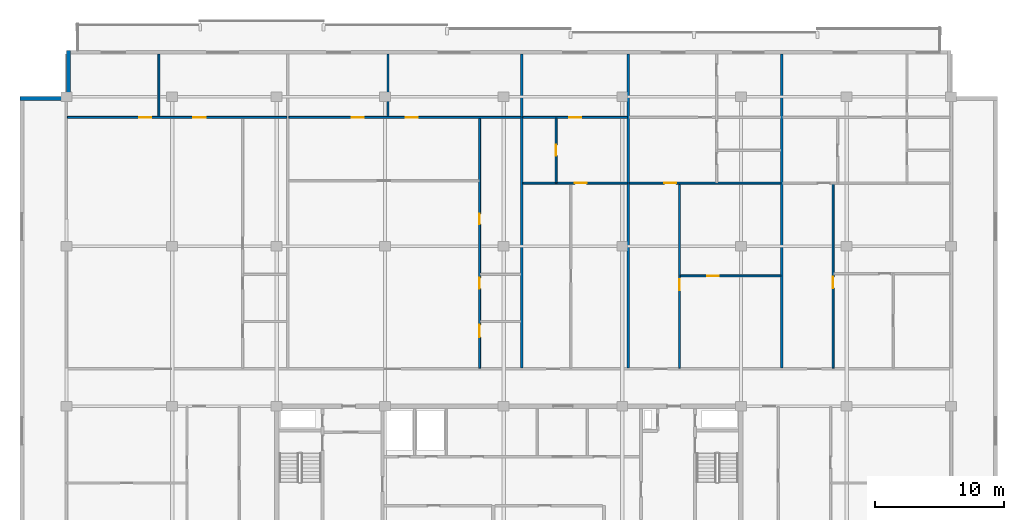
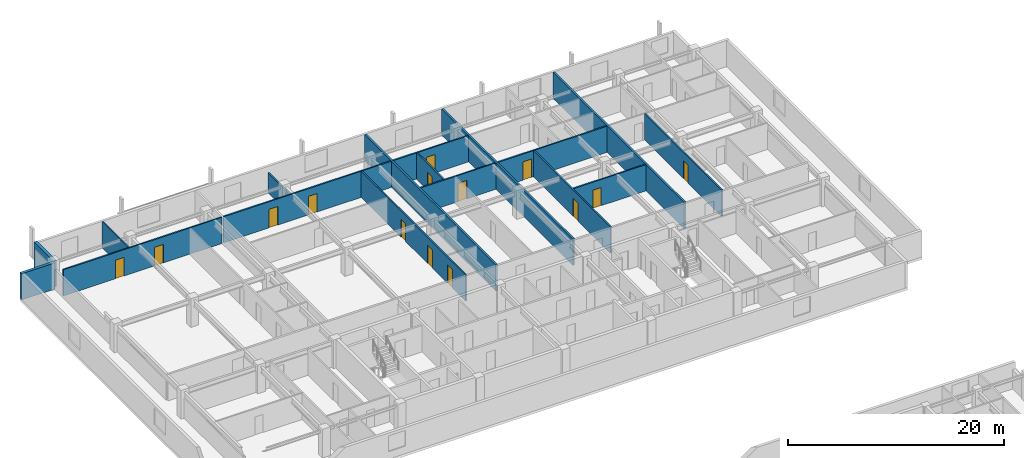
# One storey, part 13 of 21: 17 walls, 14 doors, 14 openings.
"""IFC4 building model written with IfcOpenShell, lengths in metres."""

from ifc_helpers import new_model, si_unit, direction, frame, frame_2d, origin, place, context, subcontext, project, spatial, rectangle, extrude, material, layer, layer_set, type_object, element, fill, save


model = new_model("IFC4")

# Units and contexts
model_context = context("Model", 3, precision=1e-05, world=origin(), true_north=direction((0.0, 1.0)))
body_context = subcontext(model_context, "Body", "Model", "MODEL_VIEW")
ifc_project = project(units=[si_unit("LENGTHUNIT", "METRE"), si_unit("AREAUNIT", "SQUARE_METRE"), si_unit("VOLUMEUNIT", "CUBIC_METRE"), si_unit("PLANEANGLEUNIT", "RADIAN"), si_unit("MASSUNIT", "GRAM", prefix="KILO")], contexts=[model_context])

# Site, building, storey
site_placement = place(None, origin())
site = spatial("IfcSite", under=ifc_project, at=site_placement, CompositionType="ELEMENT")
building_placement = place(site_placement, origin())
building = spatial("IfcBuilding", under=site, at=building_placement, Name="Korimba Cascade Residences", CompositionType="ELEMENT")
storey_placement = place(building_placement, frame((0.0, 0.0, 188.10009765625)))
storey = spatial("IfcBuildingStorey", under=building, at=storey_placement, Name="L54", CompositionType="ELEMENT", Elevation=188.10009765625)

# Walls
ifc_material_1 = material(Name="Precast concrete C40/50", Category="concrete")
ifc_layer_1 = layer(ifc_material_1, 0.300048828125)
ifc_layer_set_1 = layer_set([ifc_layer_1], Name="Precast concrete C40/50")
wall_type_1 = type_object("IfcWallType", Name="EW-STONE-300", PredefinedType="STANDARD", material=ifc_layer_set_1)
for number, where, z_axis, x_axis, name in (
    (1, (59.949951171875, 94.800048828125, 0.0), (0.0, 0.0, 1.0), (0.0, -1.0, 0.0), "L54 T1 Perimeter Stone Wall E07"),
    (2, (59.800048828125, 91.050048828125, 0.0), (0.0, 0.0, 1.0), (-1.0, 0.0, 0.0), "L54 T1 Perimeter Stone Wall E08"),
):
    element("IfcWall", number, at=place(storey_placement, frame(where, z_axis=z_axis, x_axis=x_axis)), inside=storey, type_object=wall_type_1, Name=name, PredefinedType="STANDARD", context=body_context, shape_type="SweptSolid", body=[
        extrude(rectangle(XDim=3.60009765625, YDim=0.300048828125, at=frame_2d((1.800048828125, 0.0))), origin(), (0.0, 0.0, 1.0), 2.969970703125),
    ])
ifc_layer_2 = layer(ifc_material_1, 0.199951171875)
ifc_layer_set_2 = layer_set([ifc_layer_2], Name="Precast concrete C40/50")
wall_type_2 = type_object("IfcWallType", Name="WAL-IT-200", PredefinedType="PARTITIONING", material=ifc_layer_set_2)
for number, where, z_axis, x_axis, name in (
    (3, (95.111328125, 70.179931640625, 0.0), (0.0, 0.0, 1.0), (0.0, 1.0, 0.0), "L54 Partition Wall WAL-L54-T1-DEM-2"),
    (4, (103.37060546875, 70.179931640625, 0.0), (0.0, 0.0, 1.0), (0.0, 1.0, 0.0), "L54 Partition Wall WAL-L54-T1-DEM-3"),
    (5, (115.27734375, 70.179931640625, 0.0), (0.0, 0.0, 1.0), (0.0, 1.0, 0.0), "L54 Partition Wall WAL-L54-T1-DEM-4"),
):
    element("IfcWall", number, at=place(storey_placement, frame(where, z_axis=z_axis, x_axis=x_axis)), inside=storey, type_object=wall_type_2, Name=name, PredefinedType="PARTITIONING", context=body_context, shape_type="SweptSolid", body=[
        extrude(rectangle(XDim=24.320068359375, YDim=0.199951171875, at=frame_2d((12.16015625, 0.0))), origin(), (0.0, 0.0, 1.0), 2.969970703125),
    ])
ifc_material_2 = material(Name="Insulated Acoustic Stud Partition", Category="gypsum")
ifc_layer_3 = layer(ifc_material_2, 0.14990234375)
ifc_layer_set_3 = layer_set([ifc_layer_3], Name="Insulated Acoustic Stud Partition")
wall_type_3 = type_object("IfcWallType", Name="WAL-PART-150", PredefinedType="PARTITIONING", material=ifc_layer_set_3)
wall_1_placement = place(storey_placement, frame((66.964111328125, 89.679931640625, 0.0), z_axis=(0.0, 0.0, 1.0), x_axis=(0.0, 1.0, 0.0)))
element("IfcWall", 6, at=wall_1_placement, inside=storey, type_object=wall_type_3, Name="L54 Partition Wall WAL-L54-T1-U01-OUTV", PredefinedType="PARTITIONING", context=body_context, shape_type="SweptSolid", body=[
    extrude(rectangle(XDim=4.820068359375, YDim=0.14990234375, at=frame_2d((2.41015625, 0.0))), origin(), (0.0, 0.0, 1.0), 2.969970703125),
])

# Wall, openings, doors
wall_2_placement = place(storey_placement, frame((59.8798828125, 89.60009765625, 0.0), z_axis=(0.0, 0.0, 1.0), x_axis=(1.0, 0.0, 0.0)))
wall_2 = element("IfcWall", 7, at=wall_2_placement, inside=storey, type_object=wall_type_3, Name="L54 Partition Wall WAL-L54-T1-U01-HZ", PredefinedType="PARTITIONING", context=body_context, shape_type="SweptSolid", body=[
    extrude(rectangle(XDim=17.00830078125, YDim=0.14990234375, at=frame_2d((8.504150390625, 0.0))), origin(), (0.0, 0.0, 1.0), 2.969970703125),
])
opening_1_placement = place(wall_2_placement, frame((5.555419921875, 0.0, 0.0)))
opening_1 = element("IfcOpeningElement", 8, at=opening_1_placement, cuts=wall_2, Name="Opening D-IN0", PredefinedType="OPENING", context=body_context, shape_type="SweptSolid", body=[
    extrude(rectangle(XDim=0.93994140625, YDim=2.10009765625, at=frame_2d((0.469970703125, 1.050048828125))), frame((0.0, 0.0849609375, 0.0), z_axis=(0.0, -1.0, 0.0), x_axis=(1.0, 0.0, 0.0)), (0.0, 0.0, 1.0), 0.169921875),
])
opening_2_placement = place(wall_2_placement, frame((9.764892578125, 0.0, 0.0)))
opening_2 = element("IfcOpeningElement", 9, at=opening_2_placement, cuts=wall_2, Name="Opening D-IN0", PredefinedType="OPENING", context=body_context, shape_type="SweptSolid", body=[
    extrude(rectangle(XDim=0.93994140625, YDim=2.10009765625, at=frame_2d((0.469970703125, 1.050048828125))), frame((0.0, 0.0849609375, 0.0), z_axis=(0.0, -1.0, 0.0), x_axis=(1.0, 0.0, 0.0)), (0.0, 0.0, 1.0), 0.169921875),
])
ifc_material_3 = material(Name="Acoustic Timber Living Archway Door", Category="wood")
door_type_1 = type_object("IfcDoorType", Name="DR-INT-950", OperationType="NOTDEFINED", PredefinedType="DOOR", material=ifc_material_3)
door_1_placement = place(opening_1_placement, origin())
door_1 = element("IfcDoor", 10, at=door_1_placement, inside=storey, type_object=door_type_1, Name="L54-T1-U01 Resident Boardroom Door", OperationType="SINGLE_SWING_LEFT", OverallHeight=2.10009765625, OverallWidth=0.93994140625, PredefinedType="DOOR", context=body_context, shape_type="SweptSolid", body=[
    extrude(rectangle(XDim=0.93994140625, YDim=2.10009765625, at=frame_2d((0.469970703125, 1.050048828125))), frame((0.0, 0.02490234375, 0.0), z_axis=(0.0, -1.0, 0.0), x_axis=(1.0, 0.0, 0.0)), (0.0, 0.0, 1.0), 0.050048828125),
])
fill(opening_1, door_1)
door_2_placement = place(opening_2_placement, origin())
door_2 = element("IfcDoor", 11, at=door_2_placement, inside=storey, type_object=door_type_1, Name="L54-T1-U01 Executive Seminar Room Door", OperationType="SINGLE_SWING_RIGHT", OverallHeight=2.10009765625, OverallWidth=0.93994140625, PredefinedType="DOOR", context=body_context, shape_type="SweptSolid", body=[
    extrude(rectangle(XDim=0.93994140625, YDim=2.10009765625, at=frame_2d((0.469970703125, 1.050048828125))), frame((0.0, 0.02490234375, 0.0), z_axis=(0.0, -1.0, 0.0), x_axis=(1.0, 0.0, 0.0)), (0.0, 0.0, 1.0), 0.050048828125),
])
fill(opening_2, door_2)

wall_3_placement = place(storey_placement, frame((91.84130859375, 70.159912109375, 0.0), z_axis=(0.0, 0.0, 1.0), x_axis=(0.0, 1.0, 0.0)))
wall_3 = element("IfcWall", 12, at=wall_3_placement, inside=storey, type_object=wall_type_3, Name="L54 Partition Wall WAL-L54-T1-U02-WCV", PredefinedType="PARTITIONING", context=body_context, shape_type="SweptSolid", body=[
    extrude(rectangle(XDim=19.380126953125, YDim=0.14990234375, at=frame_2d((9.68994140625, 0.0))), origin(), (0.0, 0.0, 1.0), 2.969970703125),
])
opening_3_placement = place(wall_3_placement, frame((2.406005859375, 0.0, 0.0)))
opening_3 = element("IfcOpeningElement", 13, at=opening_3_placement, cuts=wall_3, Name="Opening D-AC1", PredefinedType="OPENING", context=body_context, shape_type="SweptSolid", body=[
    extrude(rectangle(XDim=0.9599609375, YDim=2.10009765625, at=frame_2d((0.47998046875, 1.050048828125))), frame((0.0, 0.0849609375, 0.0), z_axis=(0.0, -1.0, 0.0), x_axis=(1.0, 0.0, 0.0)), (0.0, 0.0, 1.0), 0.169921875),
])
opening_4_placement = place(wall_3_placement, frame((6.132568359375, 0.0, 0.0)))
opening_4 = element("IfcOpeningElement", 14, at=opening_4_placement, cuts=wall_3, Name="Opening D-IN2", PredefinedType="OPENING", context=body_context, shape_type="SweptSolid", body=[
    extrude(rectangle(XDim=0.8798828125, YDim=2.06005859375, at=frame_2d((0.43994140625, 1.030029296875))), frame((0.0, 0.0849609375, 0.0), z_axis=(0.0, -1.0, 0.0), x_axis=(1.0, 0.0, 0.0)), (0.0, 0.0, 1.0), 0.169921875),
])
opening_5_placement = place(wall_3_placement, frame((11.138916015625, 0.0, 0.0)))
opening_5 = element("IfcOpeningElement", 15, at=opening_5_placement, cuts=wall_3, Name="Opening D-BT1", PredefinedType="OPENING", context=body_context, shape_type="SweptSolid", body=[
    extrude(rectangle(XDim=0.840087890625, YDim=2.0400390625, at=frame_2d((0.419921875, 1.02001953125))), frame((0.0, 0.0849609375, 0.0), z_axis=(0.0, -1.0, 0.0), x_axis=(1.0, 0.0, 0.0)), (0.0, 0.0, 1.0), 0.169921875),
])
ifc_material_4 = material(Name="Accessible Acoustic Timber WC Door", Category="wood")
door_type_2 = type_object("IfcDoorType", Name="DR-ACC-950", OperationType="NOTDEFINED", PredefinedType="DOOR", material=ifc_material_4)
door_3_placement = place(opening_3_placement, origin())
door_3 = element("IfcDoor", 16, at=door_3_placement, inside=storey, type_object=door_type_2, Name="L54-T1-U02 Accessible WC Door", OperationType="SINGLE_SWING_RIGHT", OverallHeight=2.10009765625, OverallWidth=0.9599609375, PredefinedType="DOOR", context=body_context, shape_type="SweptSolid", body=[
    extrude(rectangle(XDim=0.9599609375, YDim=2.10009765625, at=frame_2d((0.47998046875, 1.050048828125))), frame((0.0, 0.02490234375, 0.0), z_axis=(0.0, -1.0, 0.0), x_axis=(1.0, 0.0, 0.0)), (0.0, 0.0, 1.0), 0.050048828125),
])
fill(opening_3, door_3)
ifc_material_5 = material(Name="Moisture-Resistant Bathroom Timber Door", Category="wood")
door_type_3 = type_object("IfcDoorType", Name="DR-INT-850", OperationType="NOTDEFINED", PredefinedType="DOOR", material=ifc_material_5)
door_4_placement = place(opening_5_placement, origin())
door_4 = element("IfcDoor", 17, at=door_4_placement, inside=storey, type_object=door_type_3, Name="L54-T1-U02 Suite Store Door", OperationType="SINGLE_SWING_RIGHT", OverallHeight=2.0400390625, OverallWidth=0.840087890625, PredefinedType="DOOR", context=body_context, shape_type="SweptSolid", body=[
    extrude(rectangle(XDim=0.840087890625, YDim=2.0400390625, at=frame_2d((0.419921875, 1.02001953125))), frame((0.0, 0.02490234375, 0.0), z_axis=(0.0, -1.0, 0.0), x_axis=(1.0, 0.0, 0.0)), (0.0, 0.0, 1.0), 0.050048828125),
])
fill(opening_5, door_4)
ifc_material_6 = material(Name="Acoustic Timber Bedroom Door", Category="wood")
door_type_4 = type_object("IfcDoorType", Name="DR-INT-880", OperationType="NOTDEFINED", PredefinedType="DOOR", material=ifc_material_6)
door_5_placement = place(opening_4_placement, origin())
door_5 = element("IfcDoor", 18, at=door_5_placement, inside=storey, type_object=door_type_4, Name="L54-T1-U02 Restroom WC Door", OperationType="SINGLE_SWING_LEFT", OverallHeight=2.06005859375, OverallWidth=0.8798828125, PredefinedType="DOOR", context=body_context, shape_type="SweptSolid", body=[
    extrude(rectangle(XDim=0.8798828125, YDim=2.06005859375, at=frame_2d((0.43994140625, 1.030029296875))), frame((0.0, 0.02490234375, 0.0), z_axis=(0.0, -1.0, 0.0), x_axis=(1.0, 0.0, 0.0)), (0.0, 0.0, 1.0), 0.050048828125),
])
fill(opening_4, door_5)

# Wall
wall_4_placement = place(storey_placement, frame((84.73486328125, 89.679931640625, 0.0), z_axis=(0.0, 0.0, 1.0), x_axis=(0.0, 1.0, 0.0)))
element("IfcWall", 19, at=wall_4_placement, inside=storey, type_object=wall_type_3, Name="L54 Partition Wall WAL-L54-T1-U02-OUTV", PredefinedType="PARTITIONING", context=body_context, shape_type="SweptSolid", body=[
    extrude(rectangle(XDim=4.820068359375, YDim=0.14990234375, at=frame_2d((2.41015625, 0.0))), origin(), (0.0, 0.0, 1.0), 2.277099609375),
])

# Wall, openings, doors
wall_5_placement = place(storey_placement, frame((77.048095703125, 89.60009765625, 0.0), z_axis=(0.0, 0.0, 1.0), x_axis=(1.0, 0.0, 0.0)))
wall_5 = element("IfcWall", 20, at=wall_5_placement, inside=storey, type_object=wall_type_3, Name="L54 Partition Wall WAL-L54-T1-U02-HZ", PredefinedType="PARTITIONING", context=body_context, shape_type="SweptSolid", body=[
    extrude(rectangle(XDim=17.9833984375, YDim=0.14990234375, at=frame_2d((8.99169921875, 0.0))), origin(), (0.0, 0.0, 1.0), 2.969970703125),
])
opening_6_placement = place(wall_5_placement, frame((4.87255859375, 0.0, 0.0)))
opening_6 = element("IfcOpeningElement", 21, at=opening_6_placement, cuts=wall_5, Name="Opening D-IN0", PredefinedType="OPENING", context=body_context, shape_type="SweptSolid", body=[
    extrude(rectangle(XDim=0.93994140625, YDim=2.10009765625, at=frame_2d((0.469970703125, 1.050048828125))), frame((0.0, 0.0849609375, 0.0), z_axis=(0.0, -1.0, 0.0), x_axis=(1.0, 0.0, 0.0)), (0.0, 0.0, 1.0), 0.169921875),
])
opening_7_placement = place(wall_5_placement, frame((9.06982421875, 0.0, 0.0)))
opening_7 = element("IfcOpeningElement", 22, at=opening_7_placement, cuts=wall_5, Name="Opening D-IN0", PredefinedType="OPENING", context=body_context, shape_type="SweptSolid", body=[
    extrude(rectangle(XDim=0.93994140625, YDim=2.10009765625, at=frame_2d((0.469970703125, 1.050048828125))), frame((0.0, 0.0849609375, 0.0), z_axis=(0.0, -1.0, 0.0), x_axis=(1.0, 0.0, 0.0)), (0.0, 0.0, 1.0), 0.169921875),
])
door_6_placement = place(opening_6_placement, origin())
door_6 = element("IfcDoor", 23, at=door_6_placement, inside=storey, type_object=door_type_1, Name="L54-T1-U02 Hydrotherapy Wellness Clinic Door", OperationType="SINGLE_SWING_LEFT", OverallHeight=2.10009765625, OverallWidth=0.93994140625, PredefinedType="DOOR", context=body_context, shape_type="SweptSolid", body=[
    extrude(rectangle(XDim=0.93994140625, YDim=2.10009765625, at=frame_2d((0.469970703125, 1.050048828125))), frame((0.0, 0.02490234375, 0.0), z_axis=(0.0, -1.0, 0.0), x_axis=(1.0, 0.0, 0.0)), (0.0, 0.0, 1.0), 0.050048828125),
])
fill(opening_6, door_6)
door_7_placement = place(opening_7_placement, origin())
door_7 = element("IfcDoor", 24, at=door_7_placement, inside=storey, type_object=door_type_1, Name="L54-T1-U02 Physiotherapy Treatment Room Door", OperationType="SINGLE_SWING_RIGHT", OverallHeight=2.10009765625, OverallWidth=0.93994140625, PredefinedType="DOOR", context=body_context, shape_type="SweptSolid", body=[
    extrude(rectangle(XDim=0.93994140625, YDim=2.10009765625, at=frame_2d((0.469970703125, 1.050048828125))), frame((0.0, 0.02490234375, 0.0), z_axis=(0.0, -1.0, 0.0), x_axis=(1.0, 0.0, 0.0)), (0.0, 0.0, 1.0), 0.050048828125),
])
fill(opening_7, door_7)

# Wall, opening, door
wall_6_placement = place(storey_placement, frame((97.771484375, 84.5400390625, 0.0), z_axis=(0.0, 0.0, 1.0), x_axis=(0.0, 1.0, 0.0)))
wall_6 = element("IfcWall", 25, at=wall_6_placement, inside=storey, type_object=wall_type_3, Name="L54 Partition Wall WAL-L54-T1-U03-BM", PredefinedType="PARTITIONING", context=body_context, shape_type="SweptSolid", body=[
    extrude(rectangle(XDim=5.0, YDim=0.14990234375, at=frame_2d((2.5, 0.0))), origin(), (0.0, 0.0, 1.0), 2.969970703125),
])
opening_8_placement = place(wall_6_placement, frame((2.080078125, 0.0, 0.0)))
opening_8 = element("IfcOpeningElement", 26, at=opening_8_placement, cuts=wall_6, Name="Opening D-BT1", PredefinedType="OPENING", context=body_context, shape_type="SweptSolid", body=[
    extrude(rectangle(XDim=0.840087890625, YDim=2.0400390625, at=frame_2d((0.419921875, 1.02001953125))), frame((0.0, 0.0849609375, 0.0), z_axis=(0.0, -1.0, 0.0), x_axis=(1.0, 0.0, 0.0)), (0.0, 0.0, 1.0), 0.169921875),
])
door_8_placement = place(opening_8_placement, origin())
door_8 = element("IfcDoor", 27, at=door_8_placement, inside=storey, type_object=door_type_3, Name="L54-T1-U03 Bathroom Door", OperationType="SINGLE_SWING_RIGHT", OverallHeight=2.0400390625, OverallWidth=0.840087890625, PredefinedType="DOOR", context=body_context, shape_type="SweptSolid", body=[
    extrude(rectangle(XDim=0.840087890625, YDim=2.0400390625, at=frame_2d((0.419921875, 1.02001953125))), frame((0.0, 0.02490234375, 0.0), z_axis=(0.0, -1.0, 0.0), x_axis=(1.0, 0.0, 0.0)), (0.0, 0.0, 1.0), 0.050048828125),
])
fill(opening_8, door_8)

wall_7_placement = place(storey_placement, frame((95.19140625, 84.5, 0.0), z_axis=(0.0, 0.0, 1.0), x_axis=(1.0, 0.0, 0.0)))
wall_7 = element("IfcWall", 28, at=wall_7_placement, inside=storey, type_object=wall_type_3, Name="L54 Partition Wall WAL-L54-T1-U03-MW", PredefinedType="PARTITIONING", context=body_context, shape_type="SweptSolid", body=[
    extrude(rectangle(XDim=8.09912109375, YDim=0.14990234375, at=frame_2d((4.049560546875, 0.0))), origin(), (0.0, 0.0, 1.0), 2.969970703125),
])
opening_9_placement = place(wall_7_placement, frame((4.026611328125, 0.0, 0.0)))
opening_9 = element("IfcOpeningElement", 29, at=opening_9_placement, cuts=wall_7, Name="Opening D-IN1", PredefinedType="OPENING", context=body_context, shape_type="SweptSolid", body=[
    extrude(rectangle(XDim=0.919921875, YDim=2.080078125, at=frame_2d((0.4599609375, 1.0400390625))), frame((0.0, 0.0849609375, 0.0), z_axis=(0.0, -1.0, 0.0), x_axis=(1.0, 0.0, 0.0)), (0.0, 0.0, 1.0), 0.169921875),
])
ifc_material_7 = material(Name="Acoustic Timber Living Door", Category="wood")
door_type_5 = type_object("IfcDoorType", Name="DR-INT-920", OperationType="NOTDEFINED", PredefinedType="DOOR", material=ifc_material_7)
door_9_placement = place(opening_9_placement, origin())
door_9 = element("IfcDoor", 30, at=door_9_placement, inside=storey, type_object=door_type_5, Name="L54-T1-U03 Studio Kitchen Door", OperationType="SINGLE_SWING_LEFT", OverallHeight=2.080078125, OverallWidth=0.919921875, PredefinedType="DOOR", context=body_context, shape_type="SweptSolid", body=[
    extrude(rectangle(XDim=0.919921875, YDim=2.080078125, at=frame_2d((0.4599609375, 1.0400390625))), frame((0.0, 0.02490234375, 0.0), z_axis=(0.0, -1.0, 0.0), x_axis=(1.0, 0.0, 0.0)), (0.0, 0.0, 1.0), 0.050048828125),
])
fill(opening_9, door_9)

wall_8_placement = place(storey_placement, frame((95.19140625, 89.60009765625, 0.0), z_axis=(0.0, 0.0, 1.0), x_axis=(1.0, 0.0, 0.0)))
wall_8 = element("IfcWall", 31, at=wall_8_placement, inside=storey, type_object=wall_type_3, Name="L54 Partition Wall WAL-L54-T1-U03-HZ", PredefinedType="PARTITIONING", context=body_context, shape_type="SweptSolid", body=[
    extrude(rectangle(XDim=8.09912109375, YDim=0.14990234375, at=frame_2d((4.049560546875, 0.0))), origin(), (0.0, 0.0, 1.0), 2.969970703125),
])
opening_10_placement = place(wall_8_placement, frame((3.589599609375, 0.0, 0.0)))
opening_10 = element("IfcOpeningElement", 32, at=opening_10_placement, cuts=wall_8, Name="Opening D-IN1", PredefinedType="OPENING", context=body_context, shape_type="SweptSolid", body=[
    extrude(rectangle(XDim=0.919921875, YDim=2.080078125, at=frame_2d((0.4599609375, 1.0400390625))), frame((0.0, 0.0849609375, 0.0), z_axis=(0.0, -1.0, 0.0), x_axis=(1.0, 0.0, 0.0)), (0.0, 0.0, 1.0), 0.169921875),
])
door_10_placement = place(opening_10_placement, origin())
door_10 = element("IfcDoor", 33, at=door_10_placement, inside=storey, type_object=door_type_5, Name="L54-T1-U03 Studio Door", OperationType="SINGLE_SWING_RIGHT", OverallHeight=2.080078125, OverallWidth=0.919921875, PredefinedType="DOOR", context=body_context, shape_type="SweptSolid", body=[
    extrude(rectangle(XDim=0.919921875, YDim=2.080078125, at=frame_2d((0.4599609375, 1.0400390625))), frame((0.0, 0.02490234375, 0.0), z_axis=(0.0, -1.0, 0.0), x_axis=(1.0, 0.0, 0.0)), (0.0, 0.0, 1.0), 0.050048828125),
])
fill(opening_10, door_10)

wall_9_placement = place(storey_placement, frame((107.400390625, 77.31005859375, 0.0), z_axis=(0.0, 0.0, 1.0), x_axis=(1.0, 0.0, 0.0)))
wall_9 = element("IfcWall", 34, at=wall_9_placement, inside=storey, type_object=wall_type_3, Name="L54 Partition Wall WAL-L54-T1-U04-FMH", PredefinedType="PARTITIONING", context=body_context, shape_type="SweptSolid", body=[
    extrude(rectangle(XDim=7.796875, YDim=0.14990234375, at=frame_2d((3.8984375, 0.0))), origin(), (0.0, 0.0, 1.0), 2.969970703125),
])
opening_11_placement = place(wall_9_placement, frame((2.0908203125, 0.0, 0.0)))
opening_11 = element("IfcOpeningElement", 35, at=opening_11_placement, cuts=wall_9, Name="Opening D-IN2", PredefinedType="OPENING", context=body_context, shape_type="SweptSolid", body=[
    extrude(rectangle(XDim=0.8798828125, YDim=2.06005859375, at=frame_2d((0.43994140625, 1.030029296875))), frame((0.0, 0.0849609375, 0.0), z_axis=(0.0, -1.0, 0.0), x_axis=(1.0, 0.0, 0.0)), (0.0, 0.0, 1.0), 0.169921875),
])
door_11_placement = place(opening_11_placement, origin())
door_11 = element("IfcDoor", 36, at=door_11_placement, inside=storey, type_object=door_type_4, Name="L54-T1-U04 Library Salon Door", OperationType="SINGLE_SWING_LEFT", OverallHeight=2.06005859375, OverallWidth=0.8798828125, PredefinedType="DOOR", context=body_context, shape_type="SweptSolid", body=[
    extrude(rectangle(XDim=0.8798828125, YDim=2.06005859375, at=frame_2d((0.43994140625, 1.030029296875))), frame((0.0, 0.02490234375, 0.0), z_axis=(0.0, -1.0, 0.0), x_axis=(1.0, 0.0, 0.0)), (0.0, 0.0, 1.0), 0.050048828125),
])
fill(opening_11, door_11)

wall_10_placement = place(storey_placement, frame((107.340576171875, 70.159912109375, 0.0), z_axis=(0.0, 0.0, 1.0), x_axis=(0.0, 1.0, 0.0)))
wall_10 = element("IfcWall", 37, at=wall_10_placement, inside=storey, type_object=wall_type_3, Name="L54 Partition Wall WAL-L54-T1-U04-FV", PredefinedType="PARTITIONING", context=body_context, shape_type="SweptSolid", body=[
    extrude(rectangle(XDim=14.300048828125, YDim=0.14990234375, at=frame_2d((7.14990234375, 0.0))), origin(), (0.0, 0.0, 1.0), 2.969970703125),
])
opening_12_placement = place(wall_10_placement, frame((6.02001953125, 0.0, 0.0)))
opening_12 = element("IfcOpeningElement", 38, at=opening_12_placement, cuts=wall_10, Name="Opening D-IN2", PredefinedType="OPENING", context=body_context, shape_type="SweptSolid", body=[
    extrude(rectangle(XDim=0.8798828125, YDim=2.06005859375, at=frame_2d((0.43994140625, 1.030029296875))), frame((0.0, 0.0849609375, 0.0), z_axis=(0.0, -1.0, 0.0), x_axis=(1.0, 0.0, 0.0)), (0.0, 0.0, 1.0), 0.169921875),
])
door_12_placement = place(opening_12_placement, origin())
door_12 = element("IfcDoor", 39, at=door_12_placement, inside=storey, type_object=door_type_4, Name="L54-T1-U04 Media Lounge Door", OperationType="SINGLE_SWING_RIGHT", OverallHeight=2.06005859375, OverallWidth=0.8798828125, PredefinedType="DOOR", context=body_context, shape_type="SweptSolid", body=[
    extrude(rectangle(XDim=0.8798828125, YDim=2.06005859375, at=frame_2d((0.43994140625, 1.030029296875))), frame((0.0, 0.02490234375, 0.0), z_axis=(0.0, -1.0, 0.0), x_axis=(1.0, 0.0, 0.0)), (0.0, 0.0, 1.0), 0.050048828125),
])
fill(opening_12, door_12)

wall_11_placement = place(storey_placement, frame((103.450439453125, 84.5, 0.0), z_axis=(0.0, 0.0, 1.0), x_axis=(1.0, 0.0, 0.0)))
wall_11 = element("IfcWall", 40, at=wall_11_placement, inside=storey, type_object=wall_type_3, Name="L54 Partition Wall WAL-L54-T1-U04-MW", PredefinedType="PARTITIONING", context=body_context, shape_type="SweptSolid", body=[
    extrude(rectangle(XDim=11.746826171875, YDim=0.14990234375, at=frame_2d((5.87353515625, 0.0))), origin(), (0.0, 0.0, 1.0), 2.969970703125),
])
opening_13_placement = place(wall_11_placement, frame((2.719970703125, 0.0, 0.0)))
opening_13 = element("IfcOpeningElement", 41, at=opening_13_placement, cuts=wall_11, Name="Opening D-IN1", PredefinedType="OPENING", context=body_context, shape_type="SweptSolid", body=[
    extrude(rectangle(XDim=0.919921875, YDim=2.080078125, at=frame_2d((0.4599609375, 1.0400390625))), frame((0.0, 0.0849609375, 0.0), z_axis=(0.0, -1.0, 0.0), x_axis=(1.0, 0.0, 0.0)), (0.0, 0.0, 1.0), 0.169921875),
])
door_13_placement = place(opening_13_placement, origin())
door_13 = element("IfcDoor", 42, at=door_13_placement, inside=storey, type_object=door_type_5, Name="L54-T1-U04 Kitchen Archway Door", OperationType="SINGLE_SWING_RIGHT", OverallHeight=2.080078125, OverallWidth=0.919921875, PredefinedType="DOOR", context=body_context, shape_type="SweptSolid", body=[
    extrude(rectangle(XDim=0.919921875, YDim=2.080078125, at=frame_2d((0.4599609375, 1.0400390625))), frame((0.0, 0.02490234375, 0.0), z_axis=(0.0, -1.0, 0.0), x_axis=(1.0, 0.0, 0.0)), (0.0, 0.0, 1.0), 0.050048828125),
])
fill(opening_13, door_13)

wall_12_placement = place(storey_placement, frame((119.247314453125, 70.159912109375, 0.0), z_axis=(0.0, 0.0, 1.0), x_axis=(0.0, 1.0, 0.0)))
wall_12 = element("IfcWall", 43, at=wall_12_placement, inside=storey, type_object=wall_type_3, Name="L54 Partition Wall WAL-L54-T1-U05-FV", PredefinedType="PARTITIONING", context=body_context, shape_type="SweptSolid", body=[
    extrude(rectangle(XDim=14.300048828125, YDim=0.14990234375, at=frame_2d((7.14990234375, 0.0))), origin(), (0.0, 0.0, 1.0), 2.969970703125),
])
opening_14_placement = place(wall_12_placement, frame((6.199951171875, 0.0, 0.0)))
opening_14 = element("IfcOpeningElement", 44, at=opening_14_placement, cuts=wall_12, Name="Opening D-IN2", PredefinedType="OPENING", context=body_context, shape_type="SweptSolid", body=[
    extrude(rectangle(XDim=0.8798828125, YDim=2.06005859375, at=frame_2d((0.43994140625, 1.030029296875))), frame((0.0, 0.0849609375, 0.0), z_axis=(0.0, -1.0, 0.0), x_axis=(1.0, 0.0, 0.0)), (0.0, 0.0, 1.0), 0.169921875),
])
door_14_placement = place(opening_14_placement, origin())
door_14 = element("IfcDoor", 45, at=door_14_placement, inside=storey, type_object=door_type_4, Name="L54-T1-U05 Media Lounge Door", OperationType="SINGLE_SWING_RIGHT", OverallHeight=2.06005859375, OverallWidth=0.8798828125, PredefinedType="DOOR", context=body_context, shape_type="SweptSolid", body=[
    extrude(rectangle(XDim=0.8798828125, YDim=2.06005859375, at=frame_2d((0.43994140625, 1.030029296875))), frame((0.0, 0.02490234375, 0.0), z_axis=(0.0, -1.0, 0.0), x_axis=(1.0, 0.0, 0.0)), (0.0, 0.0, 1.0), 0.050048828125),
])
fill(opening_14, door_14)

save(model, "model.ifc")
